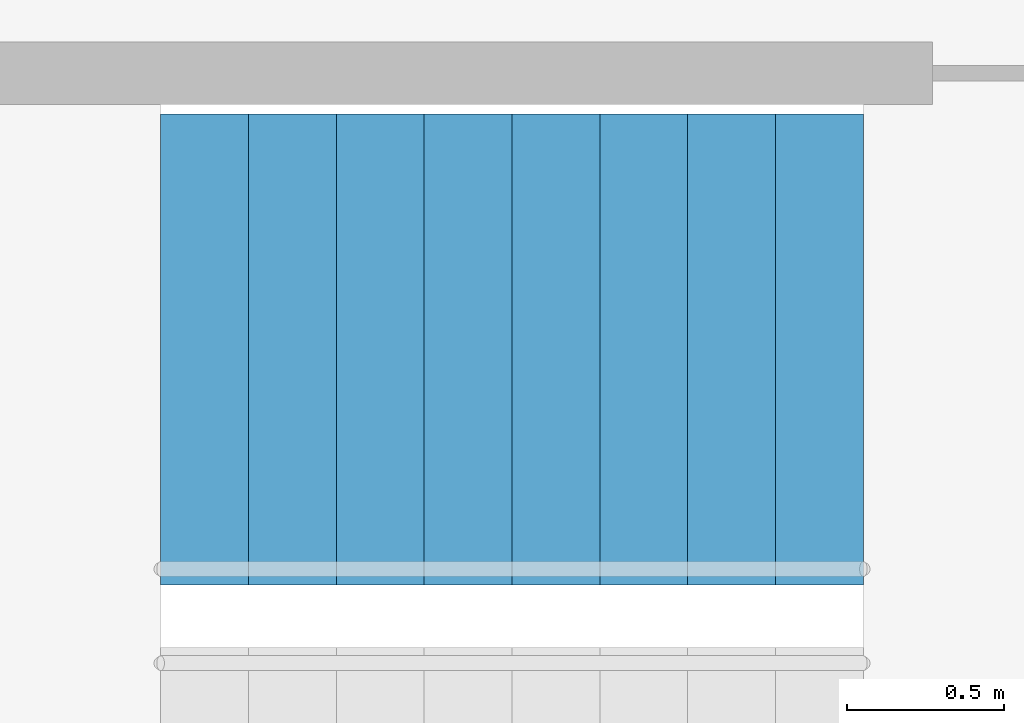
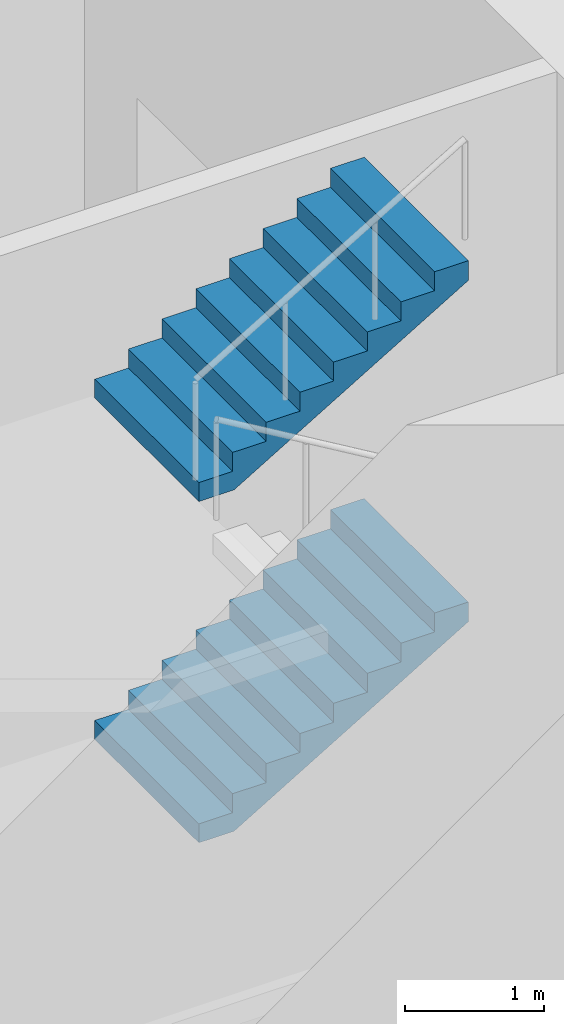
# One storey, part 18 of 19: 2 stair flights, 1 element without a shape of its own.
"""IFC4 building model written with IfcOpenShell, lengths in metres."""

from ifc_helpers import new_model, si_unit, direction, frame, origin, place, context, subcontext, project, spatial, triangles, material, type_object, element, aggregate, save


model = new_model("IFC4")

# Units and contexts
model_context = context("Model", 3, precision=1e-05, world=origin(), true_north=direction((0.0, 1.0)))
body_context = subcontext(model_context, "Body", "Model", "MODEL_VIEW")
ifc_project = project(units=[si_unit("LENGTHUNIT", "METRE"), si_unit("AREAUNIT", "SQUARE_METRE"), si_unit("VOLUMEUNIT", "CUBIC_METRE"), si_unit("PLANEANGLEUNIT", "RADIAN"), si_unit("MASSUNIT", "GRAM", prefix="KILO")], contexts=[model_context])

# Site, building, storey
site_placement = place(None, origin())
site = spatial("IfcSite", under=ifc_project, at=site_placement, CompositionType="ELEMENT")
building_placement = place(site_placement, origin())
building = spatial("IfcBuilding", under=site, at=building_placement, Name="Lantaw Convention Tower", CompositionType="ELEMENT")
storey_placement = place(building_placement, frame((0.0, 0.0, 193.0)))
storey = spatial("IfcBuildingStorey", under=building, at=storey_placement, Name="L45", CompositionType="ELEMENT", Elevation=193.0)

# Stair, stair flights
ifc_material = material(Name="Concrete C35/45", Category="concrete")
stair_type = type_object("IfcStairType", Name="Exit stair 1500 riser 166.67 in 4 flights", PredefinedType="HALF_TURN_STAIR", material=ifc_material)
stair_placement = place(storey_placement, origin())
stair = element("IfcStair", 1, at=stair_placement, inside=storey, type_object=stair_type, Name="Exit stair S2 L45", PredefinedType="HALF_TURN_STAIR")
stair_flight_type = type_object("IfcStairFlightType", Name="Stair flight 1500 riser 166.67", PredefinedType="STRAIGHT", material=ifc_material)
stair_flight_1_placement = place(storey_placement, frame((8.340087890625, -4.280029296875, 1.5), z_axis=(0.0, 0.0, 1.0), x_axis=(1.0, 0.0, 0.0)))
stair_flight_1 = element("IfcStairFlight", 2, at=stair_flight_1_placement, type_object=stair_flight_type, Name="S2 flight 2", NumberOfRisers=9, NumberOfTreads=8, PredefinedType="STRAIGHT", RiserHeight=0.166666667, TreadLength=0.28, context=body_context, shape_type="Tessellation", body=[
    triangles([(0.0, 0.75, 0.0), (0.0, 0.75, 0.166666667), (0.28, 0.75, 0.0), (0.28, 0.75, 0.166666667), (0.28, 0.75, 0.333333334), (0.2930734580690677, 0.75, 0.0), (0.2930734580690677, 0.75, 0.333333334), (0.56, 0.75, 0.1588848467052294), (0.56, 0.75, 0.333333334), (0.56, 0.75, 0.500000001), (0.8400000000000001, 0.75, 0.32555151370522933), (0.8400000000000001, 0.75, 0.500000001), (0.8400000000000001, 0.75, 0.666666668), (1.12, 0.75, 0.4922181807052293), (1.12, 0.75, 0.666666668), (1.12, 0.75, 0.833333335), (1.4000000000000001, 0.75, 0.6588848477052293), (1.4000000000000001, 0.75, 0.833333335), (1.4000000000000001, 0.75, 1.000000002), (1.6800000000000002, 0.75, 0.8255515147052293), (1.6800000000000002, 0.75, 1.000000002), (1.6800000000000002, 0.75, 1.166666669), (1.9600000000000002, 0.75, 0.9922181817052292), (1.9600000000000002, 0.75, 1.166666669), (1.9600000000000002, 0.75, 1.333333336), (2.24, 0.75, 1.1588848487052292), (2.24, 0.75, 1.333333336), (0.0, -0.75, 0.0), (0.0, -0.75, 0.166666667), (0.28, -0.75, 0.0), (0.28, -0.75, 0.166666667), (0.28, -0.75, 0.333333334), (0.2930734580690677, -0.75, 0.0), (0.2930734580690677, -0.75, 0.333333334), (0.56, -0.75, 0.1588848467052294), (0.56, -0.75, 0.333333334), (0.56, -0.75, 0.500000001), (0.8400000000000001, -0.75, 0.32555151370522933), (0.8400000000000001, -0.75, 0.500000001), (0.8400000000000001, -0.75, 0.666666668), (1.12, -0.75, 0.4922181807052293), (1.12, -0.75, 0.666666668), (1.12, -0.75, 0.833333335), (1.4000000000000001, -0.75, 0.6588848477052293), (1.4000000000000001, -0.75, 0.833333335), (1.4000000000000001, -0.75, 1.000000002), (1.6800000000000002, -0.75, 0.8255515147052293), (1.6800000000000002, -0.75, 1.000000002), (1.6800000000000002, -0.75, 1.166666669), (1.9600000000000002, -0.75, 0.9922181817052292), (1.9600000000000002, -0.75, 1.166666669), (1.9600000000000002, -0.75, 1.333333336), (2.24, -0.75, 1.1588848487052292), (2.24, -0.75, 1.333333336), (0.0, 0.15000000000000002, 0.166666667), (0.0, 0.15000000000000002, 0.0), (0.0, 0.0, 0.166666667), (0.0, 0.0, 0.0), (0.0, -0.15000000000000002, 0.166666667), (0.0, -0.15000000000000002, 0.0), (0.28, 0.15000000000000002, 0.333333334), (0.28, 0.15000000000000002, 0.166666667), (0.28, 0.0, 0.333333334), (0.28, 0.0, 0.166666667), (0.28, -0.15000000000000002, 0.333333334), (0.28, -0.15000000000000002, 0.166666667), (0.56, 0.15000000000000002, 0.500000001), (0.56, 0.15000000000000002, 0.333333334), (0.56, 0.0, 0.500000001), (0.56, 0.0, 0.333333334), (0.56, -0.15000000000000002, 0.500000001), (0.56, -0.15000000000000002, 0.333333334), (0.8400000000000001, 0.15000000000000002, 0.666666668), (0.8400000000000001, 0.15000000000000002, 0.500000001), (0.8400000000000001, 0.0, 0.666666668), (0.8400000000000001, 0.0, 0.500000001), (0.8400000000000001, -0.15000000000000002, 0.666666668), (0.8400000000000001, -0.15000000000000002, 0.500000001), (1.12, 0.15000000000000002, 0.833333335), (1.12, 0.15000000000000002, 0.666666668), (1.12, 0.0, 0.833333335), (1.12, 0.0, 0.666666668), (1.12, -0.15000000000000002, 0.833333335), (1.12, -0.15000000000000002, 0.666666668), (1.4000000000000001, 0.15000000000000002, 1.000000002), (1.4000000000000001, 0.15000000000000002, 0.833333335), (1.4000000000000001, 0.0, 1.000000002), (1.4000000000000001, 0.0, 0.833333335), (1.4000000000000001, -0.15000000000000002, 1.000000002), (1.4000000000000001, -0.15000000000000002, 0.833333335), (1.6800000000000002, 0.15000000000000002, 1.166666669), (1.6800000000000002, 0.15000000000000002, 1.000000002), (1.6800000000000002, 0.0, 1.166666669), (1.6800000000000002, 0.0, 1.000000002), (1.6800000000000002, -0.15000000000000002, 1.166666669), (1.6800000000000002, -0.15000000000000002, 1.000000002), (1.9600000000000002, 0.15000000000000002, 1.333333336), (1.9600000000000002, 0.15000000000000002, 1.166666669), (1.9600000000000002, 0.0, 1.333333336), (1.9600000000000002, 0.0, 1.166666669), (1.9600000000000002, -0.15000000000000002, 1.333333336), (1.9600000000000002, -0.15000000000000002, 1.166666669), (0.2930734580690677, 0.15000000000000002, 0.333333334), (0.2930734580690677, 0.0, 0.333333334), (0.2930734580690677, -0.15000000000000002, 0.333333334), (2.24, 0.15000000000000002, 1.333333336), (2.24, 0.0, 1.333333336), (2.24, -0.15000000000000002, 1.333333336), (2.24, 0.15000000000000002, 1.1588848487052292), (2.24, 0.0, 1.1588848487052292), (2.24, -0.15000000000000002, 1.1588848487052292), (1.9600000000000002, 0.15000000000000002, 0.9922181817052292), (1.9600000000000002, 0.0, 0.9922181817052292), (1.9600000000000002, -0.15000000000000002, 0.9922181817052292), (1.6800000000000002, 0.15000000000000002, 0.8255515147052293), (1.6800000000000002, 0.0, 0.8255515147052293), (1.6800000000000002, -0.15000000000000002, 0.8255515147052293), (1.4000000000000001, 0.15000000000000002, 0.6588848477052293), (1.4000000000000001, 0.0, 0.6588848477052293), (1.4000000000000001, -0.15000000000000002, 0.6588848477052293), (1.12, 0.15000000000000002, 0.4922181807052293), (1.12, 0.0, 0.4922181807052293), (1.12, -0.15000000000000002, 0.4922181807052293), (0.8400000000000001, 0.15000000000000002, 0.32555151370522933), (0.8400000000000001, 0.0, 0.32555151370522933), (0.8400000000000001, -0.15000000000000002, 0.32555151370522933), (0.56, 0.15000000000000002, 0.1588848467052294), (0.56, 0.0, 0.1588848467052294), (0.56, -0.15000000000000002, 0.1588848467052294), (0.2930734580690677, 0.15000000000000002, 0.0), (0.2930734580690677, 0.0, 0.0), (0.2930734580690677, -0.15000000000000002, 0.0), (0.28, 0.15000000000000002, 0.0), (0.28, 0.0, 0.0), (0.28, -0.15000000000000002, 0.0)], [[1, 4, 3], [1, 2, 4], [3, 4, 6], [4, 7, 6], [4, 5, 7], [6, 9, 8], [6, 7, 9], [8, 9, 11], [9, 12, 11], [9, 10, 12], [11, 12, 14], [12, 15, 14], [12, 13, 15], [14, 15, 17], [15, 18, 17], [15, 16, 18], [17, 18, 20], [18, 21, 20], [18, 19, 21], [20, 21, 23], [21, 24, 23], [21, 22, 24], [23, 24, 26], [24, 27, 26], [24, 25, 27], [28, 30, 31], [28, 31, 29], [30, 33, 31], [31, 33, 34], [31, 34, 32], [33, 35, 36], [33, 36, 34], [35, 38, 36], [36, 38, 39], [36, 39, 37], [38, 41, 39], [39, 41, 42], [39, 42, 40], [41, 44, 42], [42, 44, 45], [42, 45, 43], [44, 47, 45], [45, 47, 48], [45, 48, 46], [47, 50, 48], [48, 50, 51], [48, 51, 49], [50, 53, 51], [51, 53, 54], [51, 54, 52], [1, 55, 2], [1, 56, 55], [56, 57, 55], [56, 58, 57], [58, 59, 57], [58, 60, 59], [60, 29, 59], [60, 28, 29], [4, 61, 5], [4, 62, 61], [62, 63, 61], [62, 64, 63], [64, 65, 63], [64, 66, 65], [66, 32, 65], [66, 31, 32], [9, 67, 10], [9, 68, 67], [68, 69, 67], [68, 70, 69], [70, 71, 69], [70, 72, 71], [72, 37, 71], [72, 36, 37], [12, 73, 13], [12, 74, 73], [74, 75, 73], [74, 76, 75], [76, 77, 75], [76, 78, 77], [78, 40, 77], [78, 39, 40], [15, 79, 16], [15, 80, 79], [80, 81, 79], [80, 82, 81], [82, 83, 81], [82, 84, 83], [84, 43, 83], [84, 42, 43], [18, 85, 19], [18, 86, 85], [86, 87, 85], [86, 88, 87], [88, 89, 87], [88, 90, 89], [90, 46, 89], [90, 45, 46], [21, 91, 22], [21, 92, 91], [92, 93, 91], [92, 94, 93], [94, 95, 93], [94, 96, 95], [96, 49, 95], [96, 48, 49], [24, 97, 25], [24, 98, 97], [98, 99, 97], [98, 100, 99], [100, 101, 99], [100, 102, 101], [102, 52, 101], [102, 51, 52], [2, 62, 4], [2, 55, 62], [55, 64, 62], [55, 57, 64], [57, 66, 64], [57, 59, 66], [59, 31, 66], [59, 29, 31], [5, 103, 7], [5, 61, 103], [61, 104, 103], [61, 63, 104], [63, 105, 104], [63, 65, 105], [65, 34, 105], [65, 32, 34], [7, 68, 9], [7, 103, 68], [103, 70, 68], [103, 104, 70], [104, 72, 70], [104, 105, 72], [105, 36, 72], [105, 34, 36], [10, 74, 12], [10, 67, 74], [67, 76, 74], [67, 69, 76], [69, 78, 76], [69, 71, 78], [71, 39, 78], [71, 37, 39], [13, 80, 15], [13, 73, 80], [73, 82, 80], [73, 75, 82], [75, 84, 82], [75, 77, 84], [77, 42, 84], [77, 40, 42], [16, 86, 18], [16, 79, 86], [79, 88, 86], [79, 81, 88], [81, 90, 88], [81, 83, 90], [83, 45, 90], [83, 43, 45], [19, 92, 21], [19, 85, 92], [85, 94, 92], [85, 87, 94], [87, 96, 94], [87, 89, 96], [89, 48, 96], [89, 46, 48], [22, 98, 24], [22, 91, 98], [91, 100, 98], [91, 93, 100], [93, 102, 100], [93, 95, 102], [95, 51, 102], [95, 49, 51], [25, 106, 27], [25, 97, 106], [97, 107, 106], [97, 99, 107], [99, 108, 107], [99, 101, 108], [101, 54, 108], [101, 52, 54], [27, 109, 26], [27, 106, 109], [106, 110, 109], [106, 107, 110], [107, 111, 110], [107, 108, 111], [108, 53, 111], [108, 54, 53], [26, 112, 23], [26, 109, 112], [109, 113, 112], [109, 110, 113], [110, 114, 113], [110, 111, 114], [111, 50, 114], [111, 53, 50], [23, 115, 20], [23, 112, 115], [112, 116, 115], [112, 113, 116], [113, 117, 116], [113, 114, 117], [114, 47, 117], [114, 50, 47], [20, 118, 17], [20, 115, 118], [115, 119, 118], [115, 116, 119], [116, 120, 119], [116, 117, 120], [117, 44, 120], [117, 47, 44], [17, 121, 14], [17, 118, 121], [118, 122, 121], [118, 119, 122], [119, 123, 122], [119, 120, 123], [120, 41, 123], [120, 44, 41], [14, 124, 11], [14, 121, 124], [121, 125, 124], [121, 122, 125], [122, 126, 125], [122, 123, 126], [123, 38, 126], [123, 41, 38], [11, 127, 8], [11, 124, 127], [124, 128, 127], [124, 125, 128], [125, 129, 128], [125, 126, 129], [126, 35, 129], [126, 38, 35], [8, 130, 6], [8, 127, 130], [127, 131, 130], [127, 128, 131], [128, 132, 131], [128, 129, 132], [129, 33, 132], [129, 35, 33], [6, 133, 3], [6, 130, 133], [130, 134, 133], [130, 131, 134], [131, 135, 134], [131, 132, 135], [132, 30, 135], [132, 33, 30], [3, 56, 1], [3, 133, 56], [133, 58, 56], [133, 134, 58], [134, 60, 58], [134, 135, 60], [135, 28, 60], [135, 30, 28]], closed=True),
])
stair_flight_2_placement = place(storey_placement, frame((8.340087890625, -4.280029296875, 4.5), z_axis=(0.0, 0.0, 1.0), x_axis=(1.0, 0.0, 0.0)))
stair_flight_2 = element("IfcStairFlight", 3, at=stair_flight_2_placement, type_object=stair_flight_type, Name="S2 flight 4", NumberOfRisers=9, NumberOfTreads=8, PredefinedType="STRAIGHT", RiserHeight=0.166666667, TreadLength=0.28, context=body_context, shape_type="Tessellation", body=[
    triangles([(0.0, 0.75, 0.0), (0.0, 0.75, 0.166666667), (0.28, 0.75, 0.0), (0.28, 0.75, 0.166666667), (0.28, 0.75, 0.333333334), (0.2930734580690677, 0.75, 0.0), (0.2930734580690677, 0.75, 0.333333334), (0.56, 0.75, 0.1588848467052294), (0.56, 0.75, 0.333333334), (0.56, 0.75, 0.500000001), (0.8400000000000001, 0.75, 0.32555151370522933), (0.8400000000000001, 0.75, 0.500000001), (0.8400000000000001, 0.75, 0.666666668), (1.12, 0.75, 0.4922181807052293), (1.12, 0.75, 0.666666668), (1.12, 0.75, 0.833333335), (1.4000000000000001, 0.75, 0.6588848477052293), (1.4000000000000001, 0.75, 0.833333335), (1.4000000000000001, 0.75, 1.000000002), (1.6800000000000002, 0.75, 0.8255515147052293), (1.6800000000000002, 0.75, 1.000000002), (1.6800000000000002, 0.75, 1.166666669), (1.9600000000000002, 0.75, 0.9922181817052292), (1.9600000000000002, 0.75, 1.166666669), (1.9600000000000002, 0.75, 1.333333336), (2.24, 0.75, 1.1588848487052292), (2.24, 0.75, 1.333333336), (0.0, -0.75, 0.0), (0.0, -0.75, 0.166666667), (0.28, -0.75, 0.0), (0.28, -0.75, 0.166666667), (0.28, -0.75, 0.333333334), (0.2930734580690677, -0.75, 0.0), (0.2930734580690677, -0.75, 0.333333334), (0.56, -0.75, 0.1588848467052294), (0.56, -0.75, 0.333333334), (0.56, -0.75, 0.500000001), (0.8400000000000001, -0.75, 0.32555151370522933), (0.8400000000000001, -0.75, 0.500000001), (0.8400000000000001, -0.75, 0.666666668), (1.12, -0.75, 0.4922181807052293), (1.12, -0.75, 0.666666668), (1.12, -0.75, 0.833333335), (1.4000000000000001, -0.75, 0.6588848477052293), (1.4000000000000001, -0.75, 0.833333335), (1.4000000000000001, -0.75, 1.000000002), (1.6800000000000002, -0.75, 0.8255515147052293), (1.6800000000000002, -0.75, 1.000000002), (1.6800000000000002, -0.75, 1.166666669), (1.9600000000000002, -0.75, 0.9922181817052292), (1.9600000000000002, -0.75, 1.166666669), (1.9600000000000002, -0.75, 1.333333336), (2.24, -0.75, 1.1588848487052292), (2.24, -0.75, 1.333333336), (0.0, 0.15000000000000002, 0.166666667), (0.0, 0.15000000000000002, 0.0), (0.0, 0.0, 0.166666667), (0.0, 0.0, 0.0), (0.0, -0.15000000000000002, 0.166666667), (0.0, -0.15000000000000002, 0.0), (0.28, 0.15000000000000002, 0.333333334), (0.28, 0.15000000000000002, 0.166666667), (0.28, 0.0, 0.333333334), (0.28, 0.0, 0.166666667), (0.28, -0.15000000000000002, 0.333333334), (0.28, -0.15000000000000002, 0.166666667), (0.56, 0.15000000000000002, 0.500000001), (0.56, 0.15000000000000002, 0.333333334), (0.56, 0.0, 0.500000001), (0.56, 0.0, 0.333333334), (0.56, -0.15000000000000002, 0.500000001), (0.56, -0.15000000000000002, 0.333333334), (0.8400000000000001, 0.15000000000000002, 0.666666668), (0.8400000000000001, 0.15000000000000002, 0.500000001), (0.8400000000000001, 0.0, 0.666666668), (0.8400000000000001, 0.0, 0.500000001), (0.8400000000000001, -0.15000000000000002, 0.666666668), (0.8400000000000001, -0.15000000000000002, 0.500000001), (1.12, 0.15000000000000002, 0.833333335), (1.12, 0.15000000000000002, 0.666666668), (1.12, 0.0, 0.833333335), (1.12, 0.0, 0.666666668), (1.12, -0.15000000000000002, 0.833333335), (1.12, -0.15000000000000002, 0.666666668), (1.4000000000000001, 0.15000000000000002, 1.000000002), (1.4000000000000001, 0.15000000000000002, 0.833333335), (1.4000000000000001, 0.0, 1.000000002), (1.4000000000000001, 0.0, 0.833333335), (1.4000000000000001, -0.15000000000000002, 1.000000002), (1.4000000000000001, -0.15000000000000002, 0.833333335), (1.6800000000000002, 0.15000000000000002, 1.166666669), (1.6800000000000002, 0.15000000000000002, 1.000000002), (1.6800000000000002, 0.0, 1.166666669), (1.6800000000000002, 0.0, 1.000000002), (1.6800000000000002, -0.15000000000000002, 1.166666669), (1.6800000000000002, -0.15000000000000002, 1.000000002), (1.9600000000000002, 0.15000000000000002, 1.333333336), (1.9600000000000002, 0.15000000000000002, 1.166666669), (1.9600000000000002, 0.0, 1.333333336), (1.9600000000000002, 0.0, 1.166666669), (1.9600000000000002, -0.15000000000000002, 1.333333336), (1.9600000000000002, -0.15000000000000002, 1.166666669), (0.2930734580690677, 0.15000000000000002, 0.333333334), (0.2930734580690677, 0.0, 0.333333334), (0.2930734580690677, -0.15000000000000002, 0.333333334), (2.24, 0.15000000000000002, 1.333333336), (2.24, 0.0, 1.333333336), (2.24, -0.15000000000000002, 1.333333336), (2.24, 0.15000000000000002, 1.1588848487052292), (2.24, 0.0, 1.1588848487052292), (2.24, -0.15000000000000002, 1.1588848487052292), (1.9600000000000002, 0.15000000000000002, 0.9922181817052292), (1.9600000000000002, 0.0, 0.9922181817052292), (1.9600000000000002, -0.15000000000000002, 0.9922181817052292), (1.6800000000000002, 0.15000000000000002, 0.8255515147052293), (1.6800000000000002, 0.0, 0.8255515147052293), (1.6800000000000002, -0.15000000000000002, 0.8255515147052293), (1.4000000000000001, 0.15000000000000002, 0.6588848477052293), (1.4000000000000001, 0.0, 0.6588848477052293), (1.4000000000000001, -0.15000000000000002, 0.6588848477052293), (1.12, 0.15000000000000002, 0.4922181807052293), (1.12, 0.0, 0.4922181807052293), (1.12, -0.15000000000000002, 0.4922181807052293), (0.8400000000000001, 0.15000000000000002, 0.32555151370522933), (0.8400000000000001, 0.0, 0.32555151370522933), (0.8400000000000001, -0.15000000000000002, 0.32555151370522933), (0.56, 0.15000000000000002, 0.1588848467052294), (0.56, 0.0, 0.1588848467052294), (0.56, -0.15000000000000002, 0.1588848467052294), (0.2930734580690677, 0.15000000000000002, 0.0), (0.2930734580690677, 0.0, 0.0), (0.2930734580690677, -0.15000000000000002, 0.0), (0.28, 0.15000000000000002, 0.0), (0.28, 0.0, 0.0), (0.28, -0.15000000000000002, 0.0)], [[1, 4, 3], [1, 2, 4], [3, 4, 6], [4, 7, 6], [4, 5, 7], [6, 9, 8], [6, 7, 9], [8, 9, 11], [9, 12, 11], [9, 10, 12], [11, 12, 14], [12, 15, 14], [12, 13, 15], [14, 15, 17], [15, 18, 17], [15, 16, 18], [17, 18, 20], [18, 21, 20], [18, 19, 21], [20, 21, 23], [21, 24, 23], [21, 22, 24], [23, 24, 26], [24, 27, 26], [24, 25, 27], [28, 30, 31], [28, 31, 29], [30, 33, 31], [31, 33, 34], [31, 34, 32], [33, 35, 36], [33, 36, 34], [35, 38, 36], [36, 38, 39], [36, 39, 37], [38, 41, 39], [39, 41, 42], [39, 42, 40], [41, 44, 42], [42, 44, 45], [42, 45, 43], [44, 47, 45], [45, 47, 48], [45, 48, 46], [47, 50, 48], [48, 50, 51], [48, 51, 49], [50, 53, 51], [51, 53, 54], [51, 54, 52], [1, 55, 2], [1, 56, 55], [56, 57, 55], [56, 58, 57], [58, 59, 57], [58, 60, 59], [60, 29, 59], [60, 28, 29], [4, 61, 5], [4, 62, 61], [62, 63, 61], [62, 64, 63], [64, 65, 63], [64, 66, 65], [66, 32, 65], [66, 31, 32], [9, 67, 10], [9, 68, 67], [68, 69, 67], [68, 70, 69], [70, 71, 69], [70, 72, 71], [72, 37, 71], [72, 36, 37], [12, 73, 13], [12, 74, 73], [74, 75, 73], [74, 76, 75], [76, 77, 75], [76, 78, 77], [78, 40, 77], [78, 39, 40], [15, 79, 16], [15, 80, 79], [80, 81, 79], [80, 82, 81], [82, 83, 81], [82, 84, 83], [84, 43, 83], [84, 42, 43], [18, 85, 19], [18, 86, 85], [86, 87, 85], [86, 88, 87], [88, 89, 87], [88, 90, 89], [90, 46, 89], [90, 45, 46], [21, 91, 22], [21, 92, 91], [92, 93, 91], [92, 94, 93], [94, 95, 93], [94, 96, 95], [96, 49, 95], [96, 48, 49], [24, 97, 25], [24, 98, 97], [98, 99, 97], [98, 100, 99], [100, 101, 99], [100, 102, 101], [102, 52, 101], [102, 51, 52], [2, 62, 4], [2, 55, 62], [55, 64, 62], [55, 57, 64], [57, 66, 64], [57, 59, 66], [59, 31, 66], [59, 29, 31], [5, 103, 7], [5, 61, 103], [61, 104, 103], [61, 63, 104], [63, 105, 104], [63, 65, 105], [65, 34, 105], [65, 32, 34], [7, 68, 9], [7, 103, 68], [103, 70, 68], [103, 104, 70], [104, 72, 70], [104, 105, 72], [105, 36, 72], [105, 34, 36], [10, 74, 12], [10, 67, 74], [67, 76, 74], [67, 69, 76], [69, 78, 76], [69, 71, 78], [71, 39, 78], [71, 37, 39], [13, 80, 15], [13, 73, 80], [73, 82, 80], [73, 75, 82], [75, 84, 82], [75, 77, 84], [77, 42, 84], [77, 40, 42], [16, 86, 18], [16, 79, 86], [79, 88, 86], [79, 81, 88], [81, 90, 88], [81, 83, 90], [83, 45, 90], [83, 43, 45], [19, 92, 21], [19, 85, 92], [85, 94, 92], [85, 87, 94], [87, 96, 94], [87, 89, 96], [89, 48, 96], [89, 46, 48], [22, 98, 24], [22, 91, 98], [91, 100, 98], [91, 93, 100], [93, 102, 100], [93, 95, 102], [95, 51, 102], [95, 49, 51], [25, 106, 27], [25, 97, 106], [97, 107, 106], [97, 99, 107], [99, 108, 107], [99, 101, 108], [101, 54, 108], [101, 52, 54], [27, 109, 26], [27, 106, 109], [106, 110, 109], [106, 107, 110], [107, 111, 110], [107, 108, 111], [108, 53, 111], [108, 54, 53], [26, 112, 23], [26, 109, 112], [109, 113, 112], [109, 110, 113], [110, 114, 113], [110, 111, 114], [111, 50, 114], [111, 53, 50], [23, 115, 20], [23, 112, 115], [112, 116, 115], [112, 113, 116], [113, 117, 116], [113, 114, 117], [114, 47, 117], [114, 50, 47], [20, 118, 17], [20, 115, 118], [115, 119, 118], [115, 116, 119], [116, 120, 119], [116, 117, 120], [117, 44, 120], [117, 47, 44], [17, 121, 14], [17, 118, 121], [118, 122, 121], [118, 119, 122], [119, 123, 122], [119, 120, 123], [120, 41, 123], [120, 44, 41], [14, 124, 11], [14, 121, 124], [121, 125, 124], [121, 122, 125], [122, 126, 125], [122, 123, 126], [123, 38, 126], [123, 41, 38], [11, 127, 8], [11, 124, 127], [124, 128, 127], [124, 125, 128], [125, 129, 128], [125, 126, 129], [126, 35, 129], [126, 38, 35], [8, 130, 6], [8, 127, 130], [127, 131, 130], [127, 128, 131], [128, 132, 131], [128, 129, 132], [129, 33, 132], [129, 35, 33], [6, 133, 3], [6, 130, 133], [130, 134, 133], [130, 131, 134], [131, 135, 134], [131, 132, 135], [132, 30, 135], [132, 33, 30], [3, 56, 1], [3, 133, 56], [133, 58, 56], [133, 134, 58], [134, 60, 58], [134, 135, 60], [135, 28, 60], [135, 30, 28]], closed=True),
])
aggregate(stair, [stair_flight_1, stair_flight_2])

save(model, "model.ifc")
